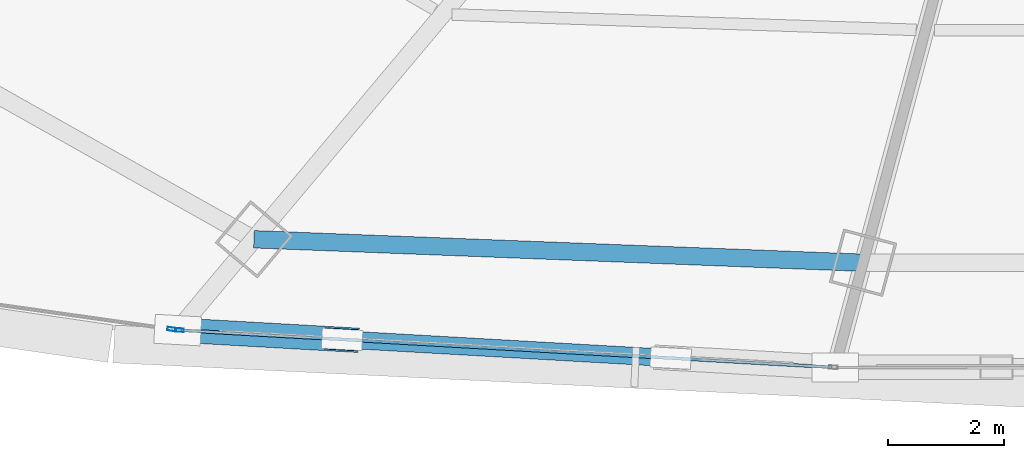
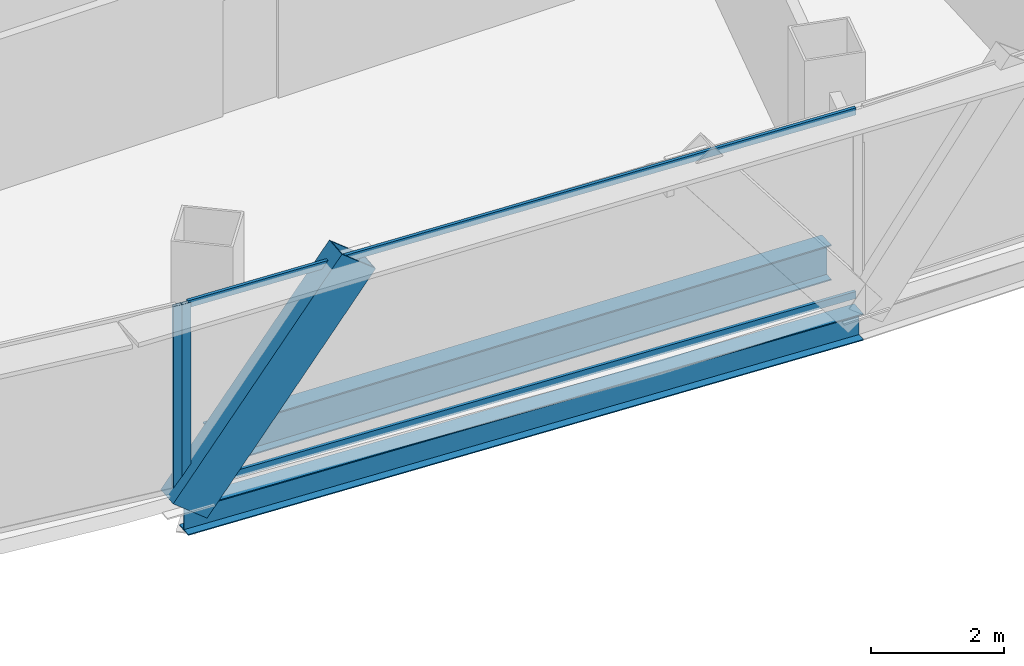
# One storey, part 6 of 42: 5 members, 2 beams, 2 elements without a shape of their own.
"""IFC4 building model written with IfcOpenShell, lengths in metres."""

import ifcopenshell
import ifcopenshell.guid

model = None  # the IFC model being written
_history = None  # IfcOwnerHistory: only IFC2X3 demands one
_inside = {}  # id of a spatial element -> (the spatial element, [elements in it])
_under = {}  # id of a project, library or spatial element -> (it, [spatial elements below it])
_declared = {}  # id of a project -> (the project, [libraries it declares])
_typed = {}  # id of a type object -> (the type object, [elements of that type])
_made_of = {}  # id of a material, layer set ... -> (it, [elements and type objects made of it])


def new_model(schema):
    """Start an empty IFC model of exactly this schema.

    Asked for "IFC4X3", IfcOpenShell would pick the latest addendum, in which some entities
    have other attributes; the version numbers below select the first issue.
    IFC2X3 requires an IfcOwnerHistory on every rooted entity: one is made here for all.
    """
    global model, _history
    if schema == "IFC4X3":
        model = ifcopenshell.file(schema_version=(4, 3, 0, 0))
    else:
        model = ifcopenshell.file(schema=schema)
    _inside.clear()
    _under.clear()
    _declared.clear()
    _typed.clear()
    _made_of.clear()
    _history = None
    if model.schema == "IFC2X3":
        org = make("IfcOrganization", Name="unknown")
        user = make(
            "IfcPersonAndOrganization",
            ThePerson=make("IfcPerson", FamilyName="unknown"),
            TheOrganization=org,
        )
        app = make(
            "IfcApplication",
            ApplicationDeveloper=org,
            Version="unknown",
            ApplicationFullName="unknown",
            ApplicationIdentifier="unknown",
        )
        _history = make(
            "IfcOwnerHistory",
            OwningUser=user,
            OwningApplication=app,
            ChangeAction="ADDED",
            CreationDate=0,
        )
    return model


def make(cls, **values):
    """One entity of the class cls with the attributes given. An attribute that is None is left unset."""
    return model.create_entity(
        cls, **{name: value for name, value in values.items() if value is not None}
    )


def rooted(cls, **values):
    """An entity with a GlobalId (a new one), such as an element, a storey or a relation."""
    return make(cls, GlobalId=ifcopenshell.guid.new(), OwnerHistory=_history, **values)


def si_unit(unit_type, name, prefix=None):
    """IfcSIUnit, for example si_unit("LENGTHUNIT", "METRE", prefix="MILLI")."""
    return make("IfcSIUnit", UnitType=unit_type, Prefix=prefix, Name=name)


def assignment(units):
    """IfcUnitAssignment: the units of a project."""
    return None if units is None else make("IfcUnitAssignment", Units=units)


def point(xyz):
    """IfcCartesianPoint."""
    return None if xyz is None else make("IfcCartesianPoint", Coordinates=xyz)


def direction(xyz):
    """IfcDirection."""
    return None if xyz is None else make("IfcDirection", DirectionRatios=xyz)


def frame(location, z_axis=None, x_axis=None):
    """IfcAxis2Placement3D, a coordinate frame: its origin and axes. An axis left out is left unset."""
    return make(
        "IfcAxis2Placement3D",
        Location=point(location),
        Axis=direction(z_axis),
        RefDirection=direction(x_axis),
    )


def frame_2d(location, x_axis=None):
    """IfcAxis2Placement2D, a coordinate frame in the plane: its origin and x axis."""
    return make(
        "IfcAxis2Placement2D", Location=point(location), RefDirection=direction(x_axis)
    )


def origin():
    """The frame at (0, 0, 0) with its axes left unset."""
    return frame((0.0, 0.0, 0.0))


def origin_2d():
    """The frame at (0, 0) in the plane with its x axis left unset."""
    return frame_2d((0.0, 0.0))


def place(relative_to, where):
    """IfcLocalPlacement: puts the frame where relative to a parent placement (None: the world)."""
    return make(
        "IfcLocalPlacement", PlacementRelTo=relative_to, RelativePlacement=where
    )


def context(
    kind, dimensions, precision=None, world=None, true_north=None, identifier=None
):
    """IfcGeometricRepresentationContext, for example the 3D "Model" context."""
    return make(
        "IfcGeometricRepresentationContext",
        ContextIdentifier=identifier,
        ContextType=kind,
        CoordinateSpaceDimension=dimensions,
        Precision=precision,
        WorldCoordinateSystem=world,
        TrueNorth=true_north,
    )


def subcontext(parent, identifier, kind, view, scale=None):
    """IfcGeometricRepresentationSubContext, for example "Body" below "Model"."""
    return make(
        "IfcGeometricRepresentationSubContext",
        ContextIdentifier=identifier,
        ContextType=kind,
        ParentContext=parent,
        TargetScale=scale,
        TargetView=view,
    )


def project(units=None, contexts=None):
    """IfcProject with its units and contexts."""
    return rooted(
        "IfcProject",
        Name="project",
        RepresentationContexts=contexts,
        UnitsInContext=assignment(units),
    )


def spatial(cls, under=None, at=None, **own):
    """A site, building, storey or space (cls), placed at a placement, below another one or the project."""
    s = rooted(cls, ObjectPlacement=at, **own)
    if under is not None:
        _under.setdefault(under.id(), (under, []))[1].append(s)
    return s


def profile(cls, at=None, kind="AREA", **sizes):
    """A parametric profile (cls). Its sizes go by their IFC names, for example OverallWidth=200.0."""
    return make(cls, ProfileType=kind, Position=at, **sizes)


def hollow_rectangle(**sizes):
    """IfcRectangleHollowProfileDef."""
    return profile("IfcRectangleHollowProfileDef", **sizes)


def i_section(**sizes):
    """IfcIShapeProfileDef."""
    return profile("IfcIShapeProfileDef", **sizes)


def extrude(swept, where, along, depth):
    """IfcExtrudedAreaSolid: the profile swept, set in the frame where, extruded along a direction by depth."""
    return make(
        "IfcExtrudedAreaSolid",
        SweptArea=swept,
        Position=where,
        ExtrudedDirection=direction(along),
        Depth=depth,
    )


def shape(context_of_items, identifier, shape_type, items):
    """IfcShapeRepresentation: the items that make up one representation, for example the "Body"."""
    return make(
        "IfcShapeRepresentation",
        ContextOfItems=context_of_items,
        RepresentationIdentifier=identifier,
        RepresentationType=shape_type,
        Items=items,
    )


def source(mapping_origin, context_of_items, identifier, shape_type, items):
    """IfcRepresentationMap: a shape defined once, which mapped items show again and again."""
    return make(
        "IfcRepresentationMap",
        MappingOrigin=mapping_origin,
        MappedRepresentation=shape(context_of_items, identifier, shape_type, items),
    )


def transform(
    local_origin,
    x_axis=None,
    y_axis=None,
    z_axis=None,
    scale=None,
    scale2=None,
    scale3=None,
    uniform=True,
):
    """IfcCartesianTransformationOperator3D, or its non-uniform kind. x_axis, y_axis, z_axis: its Axis1, 2, 3."""
    if uniform:
        return make(
            "IfcCartesianTransformationOperator3D",
            Axis1=direction(x_axis),
            Axis2=direction(y_axis),
            LocalOrigin=point(local_origin),
            Scale=scale,
            Axis3=direction(z_axis),
        )
    return make(
        "IfcCartesianTransformationOperator3DnonUniform",
        Axis1=direction(x_axis),
        Axis2=direction(y_axis),
        LocalOrigin=point(local_origin),
        Scale=scale,
        Axis3=direction(z_axis),
        Scale2=scale2,
        Scale3=scale3,
    )


def mapped(mapping_source, mapping_target):
    """IfcMappedItem: shows the shape of a source again, moved by a transform."""
    return make(
        "IfcMappedItem", MappingSource=mapping_source, MappingTarget=mapping_target
    )


def material(Name=None, Category=None):
    """IfcMaterial."""
    return make("IfcMaterial", Name=Name, Category=Category)


def layer(
    of_material, thickness, ventilated=None, Name=None, Category=None, Priority=None
):
    """IfcMaterialLayer: one layer of a wall or slab, of a material (None: an air gap)."""
    return make(
        "IfcMaterialLayer",
        Material=of_material,
        LayerThickness=thickness,
        IsVentilated=ventilated,
        Name=Name,
        Category=Category,
        Priority=Priority,
    )


def layer_set(layers, Name=None):
    """IfcMaterialLayerSet."""
    return make("IfcMaterialLayerSet", MaterialLayers=layers, LayerSetName=Name)


def material_profile(
    of_material, cross_section, Name=None, Category=None, Priority=None
):
    """IfcMaterialProfile: a cross section and its material."""
    return make(
        "IfcMaterialProfile",
        Name=Name,
        Material=of_material,
        Profile=cross_section,
        Priority=Priority,
        Category=Category,
    )


def profile_set(profiles, Name=None, composite=None):
    """IfcMaterialProfileSet."""
    return make(
        "IfcMaterialProfileSet",
        Name=Name,
        MaterialProfiles=profiles,
        CompositeProfile=composite,
    )


def made_of(thing, what):
    """Note that an element or type object is made of a material, layer set ...; save() writes the relation."""
    if what is not None:
        _made_of.setdefault(what.id(), (what, []))[1].append(thing)
    return thing


def type_object(cls, material=None, **own):
    """A type object (cls), such as IfcWallType, which elements share."""
    return made_of(rooted(cls, **own), material)


def element(
    cls,
    number,
    at=None,
    inside=None,
    cuts=None,
    type_object=None,
    material=None,
    context=None,
    identifier="Body",
    shape_type=None,
    held_by="IfcProductDefinitionShape",
    body=None,
    shapes=None,
    **own,
):
    """One element of the class cls, such as IfcWall. Its Tag is "e" and its number.

    at: its placement. inside: the storey or other place that contains it. cuts: it is an
    opening in that element (IfcRelVoidsElement). A single representation is given by context,
    identifier, shape_type and body (its items); several are given by shapes. held_by: the class
    of the entity that holds the representations. save() writes the other relations.
    """
    e = rooted(cls, Tag="e%d" % number, ObjectPlacement=at, **own)
    if body is not None:
        shapes = [shape(context, identifier, shape_type, body)]
    if shapes is not None:
        e.Representation = make(held_by, Representations=shapes)
    if inside is not None:
        _inside.setdefault(inside.id(), (inside, []))[1].append(e)
    if cuts is not None:
        rooted(
            "IfcRelVoidsElement", RelatingBuildingElement=cuts, RelatedOpeningElement=e
        )
    if type_object is not None:
        _typed.setdefault(type_object.id(), (type_object, []))[1].append(e)
    return made_of(e, material)


def aggregate(whole, parts):
    """IfcRelAggregates: a whole, such as a stair, and the parts it consists of."""
    return rooted("IfcRelAggregates", RelatingObject=whole, RelatedObjects=parts)


def save(model, path):
    """Write the relations noted so far, then the file.

    IfcRelAggregates (storeys below a building ...), IfcRelContainedInSpatialStructure (elements
    in a storey), IfcRelDefinesByType, IfcRelAssociatesMaterial and IfcRelDeclares: one each for
    every whole, place, type object, material and project.
    """
    for whole, parts in _under.values():
        aggregate(whole, parts)
    for where, things in _inside.values():
        rooted(
            "IfcRelContainedInSpatialStructure",
            RelatedElements=things,
            RelatingStructure=where,
        )
    for kind, things in _typed.values():
        rooted("IfcRelDefinesByType", RelatedObjects=things, RelatingType=kind)
    for what, things in _made_of.values():
        rooted("IfcRelAssociatesMaterial", RelatedObjects=things, RelatingMaterial=what)
    for by, libraries in _declared.values():
        rooted("IfcRelDeclares", RelatingContext=by, RelatedDefinitions=libraries)
    model.write(path)


model = new_model("IFC4")

# Units and contexts
model_context = context("Model", 3, precision=1e-05, world=origin(), true_north=direction((0.0, 1.0)))
body_context = subcontext(model_context, "Body", "Model", "MODEL_VIEW")
ifc_project = project(units=[si_unit("LENGTHUNIT", "METRE"), si_unit("AREAUNIT", "SQUARE_METRE"), si_unit("VOLUMEUNIT", "CUBIC_METRE"), si_unit("PLANEANGLEUNIT", "RADIAN"), si_unit("MASSUNIT", "GRAM", prefix="KILO"), si_unit("THERMODYNAMICTEMPERATUREUNIT", "KELVIN"), si_unit("POWERUNIT", "WATT")], contexts=[model_context])

# Site, building, storey
site_placement = place(None, origin())
site = spatial("IfcSite", under=ifc_project, at=site_placement, CompositionType="ELEMENT")
building_placement = place(site_placement, origin())
building = spatial("IfcBuilding", under=site, at=building_placement, Name="Yunzhuo Pagoda Commons", CompositionType="ELEMENT")
storey_placement = place(building_placement, frame((0.0, 0.0, 129.830078125)))
storey = spatial("IfcBuildingStorey", under=building, at=storey_placement, Name="L32", CompositionType="ELEMENT", Elevation=129.830078125)

# Beams
ifc_material_1 = material(Name="Structural steel Q355B", Category="steel")
ifc_material_profile_1 = material_profile(ifc_material_1, i_section(OverallWidth=0.300048828125, OverallDepth=0.488037109375, WebThickness=0.010986328125, FlangeThickness=0.01806640625, at=origin_2d()), Name="Structural steel Q355B")
ifc_profile_set_1 = profile_set([ifc_material_profile_1], Name="Structural steel Q355B")
beam_type_1 = type_object("IfcBeamType", Name="B-SP1 Beam HM 488x300x11x18", PredefinedType="BEAM", material=ifc_profile_set_1)
shared_shape_1 = source(origin(), body_context, "Body", "SweptSolid", [
    extrude(i_section(OverallWidth=0.300048828125, OverallDepth=0.488037109375, WebThickness=0.010986328125, FlangeThickness=0.01806640625, at=origin_2d()), origin(), (0.0, 0.0, 1.0), 11.34814453125),
])
beam_1_placement = place(storey_placement, frame((31.101806640625, 13.561279296875, -0.504150390625), z_axis=(0.998390672401, -0.056710362929, 0.0), x_axis=(0.056710362929, 0.998390672401, 0.0)))
element("IfcBeam", 1, at=beam_1_placement, inside=storey, type_object=beam_type_1, Name="L32 facade edge spandrel beam F1.1", PredefinedType="BEAM", context=body_context, shape_type="MappedRepresentation", body=[
    mapped(shared_shape_1, transform((0.0, 0.0, 0.0), scale=1.0)),
])
ifc_material_profile_2 = material_profile(ifc_material_1, i_section(OverallWidth=0.300048828125, OverallDepth=0.64990234375, WebThickness=0.012939453125, FlangeThickness=0.02197265625, at=origin_2d()), Name="Structural steel Q355B")
ifc_profile_set_2 = profile_set([ifc_material_profile_2], Name="Structural steel Q355B")
beam_type_2 = type_object("IfcBeamType", Name="B-RG2 Beam HN 650x300x13x22", PredefinedType="BEAM", material=ifc_profile_set_2)
shared_shape_2 = source(origin(), body_context, "Body", "SweptSolid", [
    extrude(i_section(OverallWidth=0.300048828125, OverallDepth=0.64990234375, WebThickness=0.012939453125, FlangeThickness=0.02197265625, at=origin_2d()), origin(), (0.0, 0.0, 1.0), 10.5078125),
])
beam_2_placement = place(storey_placement, frame((32.414794921875, 15.126220703125, -0.5849609375), z_axis=(0.999258632812, -0.03849915259, 0.0), x_axis=(0.03849915259, 0.999258632812, 0.0)))
element("IfcBeam", 2, at=beam_2_placement, inside=storey, type_object=beam_type_2, Name="L32 column-ring beam 1", PredefinedType="BEAM", context=body_context, shape_type="MappedRepresentation", body=[
    mapped(shared_shape_2, transform((0.0, 0.0, 0.0), scale=1.0)),
])

# Member
ifc_material_2 = material(Name="Structural steel Q420B", Category="steel")
ifc_material_profile_3 = material_profile(ifc_material_2, hollow_rectangle(XDim=0.419921875, YDim=0.719970703125, WallThickness=0.028076171875, at=origin_2d()), Name="Structural steel Q420B")
ifc_profile_set_3 = profile_set([ifc_material_profile_3], Name="Structural steel Q420B")
member_type_1 = type_object("IfcMemberType", Name="M-DL1 Brace BOX 720x420x28", PredefinedType="BRACE", material=ifc_profile_set_3)
shared_shape_3 = source(origin(), body_context, "Body", "SweptSolid", [
    extrude(hollow_rectangle(XDim=0.419921875, YDim=0.719970703125, WallThickness=0.028076171875, at=origin_2d()), origin(), (0.0, 0.0, 1.0), 4.646484375),
])
member_1_placement = place(storey_placement, frame((31.101806640625, 13.561279296875, -0.260009765625), z_axis=(0.609555877841, -0.034626094604, 0.791986531049), x_axis=(0.056714017439, 0.998390464811, 0.0)))
element("IfcMember", 3, at=member_1_placement, inside=storey, type_object=member_type_1, Name="L32 facade diamond brace F1.1L", PredefinedType="BRACE", context=body_context, shape_type="MappedRepresentation", body=[
    mapped(shared_shape_3, transform((0.0, 0.0, 0.0), scale=1.0)),
])

# Curtain wall, member
ifc_material_3 = material(Name="Anodized aluminium 6063-T6", Category="aluminium")
ifc_layer = layer(ifc_material_3, 0.14990234375)
ifc_layer_set = layer_set([ifc_layer], Name="Anodized aluminium 6063-T6")
curtain_wall_type = type_object("IfcCurtainWallType", Name="CW-MID Mid-Zone Ribbon Curtain Wall", PredefinedType="NOTDEFINED", material=ifc_layer_set)
curtain_wall_1_placement = place(storey_placement, origin())
curtain_wall_1 = element("IfcCurtainWall", 4, at=curtain_wall_1_placement, inside=storey, type_object=curtain_wall_type, Name="L32 curtain wall CW-L32-F1B2", PredefinedType="NOTDEFINED")
ifc_material_profile_4 = material_profile(ifc_material_3, hollow_rectangle(XDim=0.06005859375, YDim=0.14990234375, WallThickness=0.00390625, at=origin_2d()), Name="Anodized aluminium 6063-T6")
ifc_profile_set_4 = profile_set([ifc_material_profile_4], Name="Anodized aluminium 6063-T6")
member_type_2 = type_object("IfcMemberType", Name="CW-MID-M Mullion RHS 150x60x4", PredefinedType="MULLION", material=ifc_profile_set_4)
shared_shape_4 = source(origin(), body_context, "Body", "SweptSolid", [
    extrude(hollow_rectangle(XDim=0.06005859375, YDim=0.14990234375, WallThickness=0.00390625, at=origin_2d()), origin(), (0.0, 0.0, 1.0), 3.419921875),
])
member_2_placement = place(storey_placement, frame((31.131591796875, 13.56005859375, 0.0), z_axis=(0.0, 0.0, 1.0), x_axis=(0.056741862165, 0.99838888269, 0.0)))
member_2 = element("IfcMember", 5, at=member_2_placement, type_object=member_type_2, Name="CW mullion 1", PredefinedType="MULLION", context=body_context, shape_type="MappedRepresentation", body=[
    mapped(shared_shape_4, transform((0.0, 0.0, 0.0), scale=1.0)),
])

curtain_wall_2_placement = place(storey_placement, origin())
curtain_wall_2 = element("IfcCurtainWall", 6, at=curtain_wall_2_placement, inside=storey, type_object=curtain_wall_type, Name="L32 curtain wall CW-L32-F1B1", PredefinedType="NOTDEFINED")
member_3_placement = place(storey_placement, frame((30.997802734375, 13.576171875, 0.0), z_axis=(0.0, 0.0, 1.0), x_axis=(0.140026939768, 0.990147694104, 0.0)))
member_3 = element("IfcMember", 7, at=member_3_placement, type_object=member_type_2, Name="CW mullion 2", PredefinedType="MULLION", context=body_context, shape_type="MappedRepresentation", body=[
    mapped(shared_shape_4, transform((0.0, 0.0, 0.0), scale=1.0)),
])
aggregate(curtain_wall_2, [member_3])

# Member
ifc_material_profile_5 = material_profile(ifc_material_3, hollow_rectangle(XDim=0.054931640625, YDim=0.1298828125, WallThickness=0.00341796875, at=origin_2d()), Name="Anodized aluminium 6063-T6")
ifc_profile_set_5 = profile_set([ifc_material_profile_5], Name="Anodized aluminium 6063-T6")
member_type_3 = type_object("IfcMemberType", Name="CW-MID-T Transom RHS 130x55x3.5", PredefinedType="USERDEFINED", material=ifc_profile_set_5)
shared_shape_5 = source(origin(), body_context, "Body", "SweptSolid", [
    extrude(hollow_rectangle(XDim=0.054931640625, YDim=0.1298828125, WallThickness=0.00341796875, at=origin_2d()), origin(), (0.0, 0.0, 1.0), 11.227783203125),
])
member_4_placement = place(storey_placement, frame((31.16162109375, 13.558349609375, 0.02734375), z_axis=(0.998387042838, -0.056774225609, 0.0), x_axis=(0.056774225609, 0.998387042838, 0.0)))
member_4 = element("IfcMember", 8, at=member_4_placement, type_object=member_type_3, Name="CW transom 1.1", ObjectType="TRANSOM", PredefinedType="USERDEFINED", context=body_context, shape_type="MappedRepresentation", body=[
    mapped(shared_shape_5, transform((0.0, 0.0, 0.0), scale=1.0)),
])

member_5_placement = place(storey_placement, frame((31.16162109375, 13.558349609375, 3.392333984375), z_axis=(0.998387042838, -0.056774225609, 0.0), x_axis=(0.056774225609, 0.998387042838, 0.0)))
member_5 = element("IfcMember", 9, at=member_5_placement, type_object=member_type_3, Name="CW transom 1.2", ObjectType="TRANSOM", PredefinedType="USERDEFINED", context=body_context, shape_type="MappedRepresentation", body=[
    mapped(shared_shape_5, transform((0.0, 0.0, 0.0), scale=1.0)),
])

aggregate(curtain_wall_1, [member_2, member_4, member_5])

save(model, "model.ifc")
